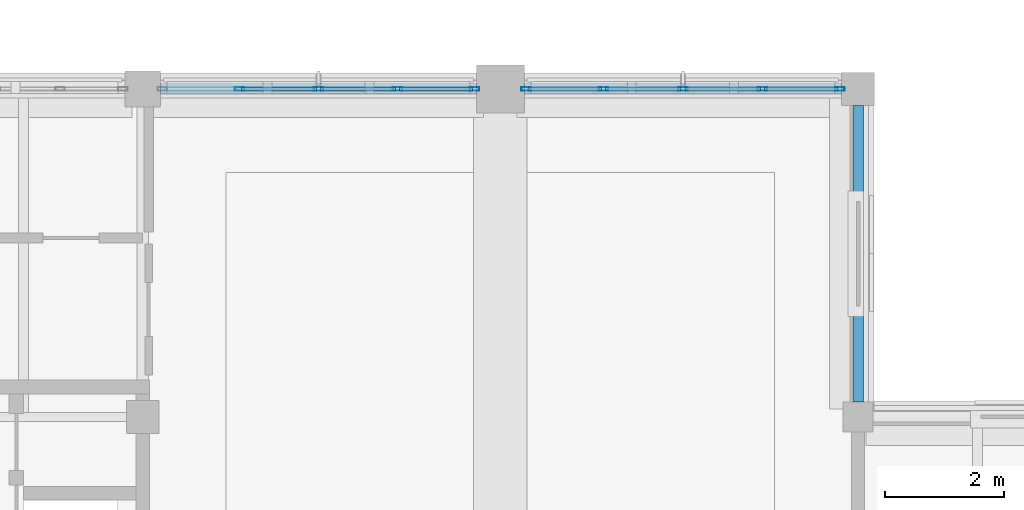
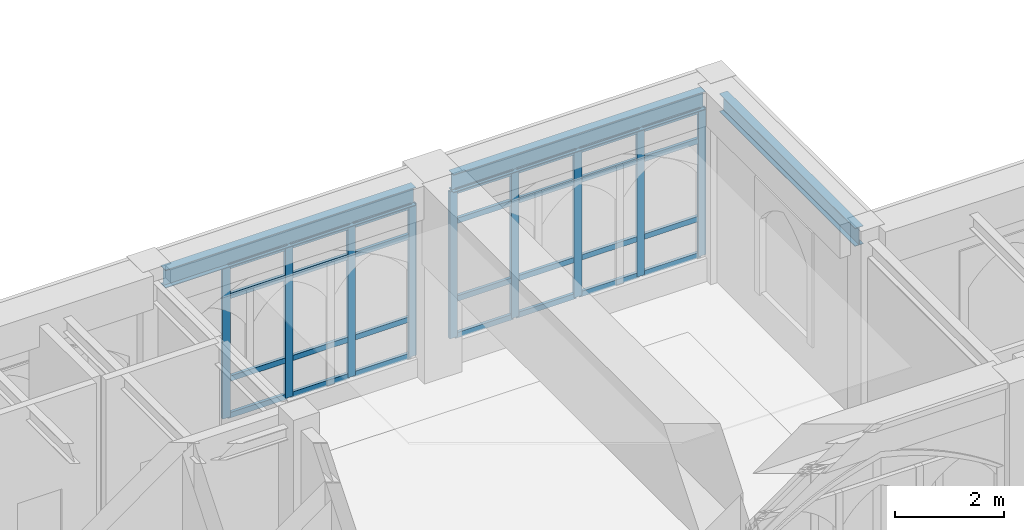
# One storey, part 16 of 127: 37 members, 3 beams, 2 elements without a shape of their own.
"""IFC4 building model written with IfcOpenShell, lengths in metres."""

from ifc_helpers import new_model, si_unit, direction, frame, origin, origin_2d, place, context, subcontext, project, spatial, hollow_rectangle, i_section, extrude, material, layer, layer_set, material_profile, profile_set, type_object, element, aggregate, save


model = new_model("IFC4")

# Units and contexts
model_context = context("Model", 3, precision=1e-05, world=origin(), true_north=direction((0.0, 1.0)))
body_context = subcontext(model_context, "Body", "Model", "MODEL_VIEW")
ifc_project = project(units=[si_unit("LENGTHUNIT", "METRE"), si_unit("AREAUNIT", "SQUARE_METRE"), si_unit("VOLUMEUNIT", "CUBIC_METRE"), si_unit("PLANEANGLEUNIT", "RADIAN"), si_unit("MASSUNIT", "GRAM", prefix="KILO")], contexts=[model_context])

# Site, building, storey
site_placement = place(None, origin())
site = spatial("IfcSite", under=ifc_project, at=site_placement, CompositionType="ELEMENT")
building_placement = place(site_placement, origin())
building = spatial("IfcBuilding", under=site, at=building_placement, Name="Cumevento Cable Car Station", CompositionType="ELEMENT")
storey_placement = place(building_placement, frame((0.0, 0.0, 4.5)))
storey = spatial("IfcBuildingStorey", under=building, at=storey_placement, Name="L02", CompositionType="ELEMENT", Elevation=4.5)

# Curtain wall, members
ifc_material_1 = material(Name="Anodised Bronze Aluminium AW-6063-T6", Category="aluminium")
ifc_layer_1 = layer(ifc_material_1, 0.18994140625)
ifc_layer_set_1 = layer_set([ifc_layer_1], Name="Anodised Bronze Aluminium AW-6063-T6")
curtain_wall_type_1 = type_object("IfcCurtainWallType", Name="Lancet Curtain Wall CW-06 1250", PredefinedType="NOTDEFINED", material=ifc_layer_set_1)
curtain_wall_1_placement = place(storey_placement, origin())
curtain_wall_1 = element("IfcCurtainWall", 1, at=curtain_wall_1_placement, inside=storey, type_object=curtain_wall_type_1, Name="Lancet Curtain Wall CW-06 L02 #21", PredefinedType="NOTDEFINED")
ifc_material_2 = material(Name="Anodised Bronze Aluminium AW-6063-T6", Category="aluminium")
ifc_material_profile_1 = material_profile(ifc_material_2, hollow_rectangle(XDim=0.06494140625, YDim=0.159912109375, WallThickness=0.00390625, at=origin_2d()), Name="ALUM65x160x4")
ifc_profile_set_1 = profile_set([ifc_material_profile_1], Name="Anodised Bronze Aluminium AW-6063-T6")
member_type_1 = type_object("IfcMemberType", Name="Curtain Mullion CWM-01 ALUM65x160x4", PredefinedType="MULLION", material=ifc_profile_set_1)
member_1_placement = place(storey_placement, frame((35.625, 15.0, 0.409912109375), z_axis=(0.0, 0.0, 1.0), x_axis=(0.0, 1.0, 0.0)))
member_1 = element("IfcMember", 2, at=member_1_placement, type_object=member_type_1, Name="CW-06 mullion 2", PredefinedType="MULLION", context=body_context, shape_type="SweptSolid", body=[
    extrude(hollow_rectangle(XDim=0.06494140625, YDim=0.159912109375, WallThickness=0.00390625, at=origin_2d()), origin(), (0.0, 0.0, 1.0), 3.399169921875),
])
member_2_placement = place(storey_placement, frame((36.949951171875, 15.0, 0.409912109375), z_axis=(0.0, 0.0, 1.0), x_axis=(0.0, 1.0, 0.0)))
member_2 = element("IfcMember", 3, at=member_2_placement, type_object=member_type_1, Name="CW-06 mullion 3", PredefinedType="MULLION", context=body_context, shape_type="SweptSolid", body=[
    extrude(hollow_rectangle(XDim=0.06494140625, YDim=0.159912109375, WallThickness=0.00390625, at=origin_2d()), origin(), (0.0, 0.0, 1.0), 3.399169921875),
])
member_3_placement = place(storey_placement, frame((38.27490234375, 15.0, 0.409912109375), z_axis=(0.0, 0.0, 1.0), x_axis=(0.0, 1.0, 0.0)))
member_3 = element("IfcMember", 4, at=member_3_placement, type_object=member_type_1, Name="CW-06 mullion 4", PredefinedType="MULLION", context=body_context, shape_type="SweptSolid", body=[
    extrude(hollow_rectangle(XDim=0.06494140625, YDim=0.159912109375, WallThickness=0.00390625, at=origin_2d()), origin(), (0.0, 0.0, 1.0), 3.399169921875),
])
member_4_placement = place(storey_placement, frame((39.5673828125, 15.0, 0.409912109375), z_axis=(0.0, 0.0, 1.0), x_axis=(0.0, 1.0, 0.0)))
member_4 = element("IfcMember", 5, at=member_4_placement, type_object=member_type_1, Name="CW-06 mullion 5", PredefinedType="MULLION", context=body_context, shape_type="SweptSolid", body=[
    extrude(hollow_rectangle(XDim=0.06494140625, YDim=0.159912109375, WallThickness=0.00390625, at=origin_2d()), origin(), (0.0, 0.0, 1.0), 3.399169921875),
])

ifc_material_3 = material(Name="Anodised Bronze Aluminium AW-6063-T6", Category="aluminium")
ifc_layer_2 = layer(ifc_material_3, 0.201904296875)
ifc_layer_set_2 = layer_set([ifc_layer_2], Name="Anodised Bronze Aluminium AW-6063-T6")
curtain_wall_type_2 = type_object("IfcCurtainWallType", Name="Lancet Curtain Wall CW-08 1330", PredefinedType="NOTDEFINED", material=ifc_layer_set_2)
curtain_wall_2_placement = place(storey_placement, origin())
curtain_wall_2 = element("IfcCurtainWall", 6, at=curtain_wall_2_placement, inside=storey, type_object=curtain_wall_type_2, Name="Lancet Curtain Wall CW-08 L02 #23", PredefinedType="NOTDEFINED")
member_5_placement = place(storey_placement, frame((40.4326171875, 15.0, 0.52001953125), z_axis=(0.0, 0.0, 1.0), x_axis=(0.0, 1.0, 0.0)))
member_5 = element("IfcMember", 7, at=member_5_placement, type_object=member_type_1, Name="CW-08 mullion 1", PredefinedType="MULLION", context=body_context, shape_type="SweptSolid", body=[
    extrude(hollow_rectangle(XDim=0.06494140625, YDim=0.159912109375, WallThickness=0.00390625, at=origin_2d()), origin(), (0.0, 0.0, 1.0), 3.2890625),
])
member_6_placement = place(storey_placement, frame((41.731201171875, 15.0, 0.52001953125), z_axis=(0.0, 0.0, 1.0), x_axis=(0.0, 1.0, 0.0)))
member_6 = element("IfcMember", 8, at=member_6_placement, type_object=member_type_1, Name="CW-08 mullion 2", PredefinedType="MULLION", context=body_context, shape_type="SweptSolid", body=[
    extrude(hollow_rectangle(XDim=0.06494140625, YDim=0.159912109375, WallThickness=0.00390625, at=origin_2d()), origin(), (0.0, 0.0, 1.0), 3.2890625),
])
member_7_placement = place(storey_placement, frame((43.0625, 15.0, 0.52001953125), z_axis=(0.0, 0.0, 1.0), x_axis=(0.0, 1.0, 0.0)))
member_7 = element("IfcMember", 9, at=member_7_placement, type_object=member_type_1, Name="CW-08 mullion 3", PredefinedType="MULLION", context=body_context, shape_type="SweptSolid", body=[
    extrude(hollow_rectangle(XDim=0.06494140625, YDim=0.159912109375, WallThickness=0.00390625, at=origin_2d()), origin(), (0.0, 0.0, 1.0), 3.2890625),
])
member_8_placement = place(storey_placement, frame((44.393798828125, 15.0, 0.52001953125), z_axis=(0.0, 0.0, 1.0), x_axis=(0.0, 1.0, 0.0)))
member_8 = element("IfcMember", 10, at=member_8_placement, type_object=member_type_1, Name="CW-08 mullion 4", PredefinedType="MULLION", context=body_context, shape_type="SweptSolid", body=[
    extrude(hollow_rectangle(XDim=0.06494140625, YDim=0.159912109375, WallThickness=0.00390625, at=origin_2d()), origin(), (0.0, 0.0, 1.0), 3.2890625),
])
member_9_placement = place(storey_placement, frame((45.6923828125, 15.0, 0.52001953125), z_axis=(0.0, 0.0, 1.0), x_axis=(0.0, 1.0, 0.0)))
member_9 = element("IfcMember", 11, at=member_9_placement, type_object=member_type_1, Name="CW-08 mullion 5", PredefinedType="MULLION", context=body_context, shape_type="SweptSolid", body=[
    extrude(hollow_rectangle(XDim=0.06494140625, YDim=0.159912109375, WallThickness=0.00390625, at=origin_2d()), origin(), (0.0, 0.0, 1.0), 3.2890625),
])

# Member
ifc_material_4 = material(Name="Anodised Bronze Aluminium AW-6063-T6", Category="aluminium")
ifc_material_profile_2 = material_profile(ifc_material_4, hollow_rectangle(XDim=0.06494140625, YDim=0.1201171875, WallThickness=0.00390625, at=origin_2d()), Name="ALUT65x120x4")
ifc_profile_set_2 = profile_set([ifc_material_profile_2], Name="Anodised Bronze Aluminium AW-6063-T6")
member_type_2 = type_object("IfcMemberType", Name="Curtain Transom CWT-01 ALUT65x120x4", PredefinedType="USERDEFINED", material=ifc_profile_set_2)
member_10_placement = place(storey_placement, frame((35.657470703125, 15.0, 0.4423828125), z_axis=(1.0, 0.0, 0.0), x_axis=(0.0, 1.0, 0.0)))
member_10 = element("IfcMember", 12, at=member_10_placement, type_object=member_type_2, Name="CW-06 transom 2.1", ObjectType="TRANSOM", PredefinedType="USERDEFINED", context=body_context, shape_type="SweptSolid", body=[
    extrude(hollow_rectangle(XDim=0.06494140625, YDim=0.1201171875, WallThickness=0.00390625, at=origin_2d()), origin(), (0.0, 0.0, 1.0), 1.260009765625),
])

member_11_placement = place(storey_placement, frame((35.657470703125, 15.0, 1.260009765625), z_axis=(1.0, 0.0, 0.0), x_axis=(0.0, 1.0, 0.0)))
member_11 = element("IfcMember", 13, at=member_11_placement, type_object=member_type_2, Name="CW-06 transom 2.2", ObjectType="TRANSOM", PredefinedType="USERDEFINED", context=body_context, shape_type="SweptSolid", body=[
    extrude(hollow_rectangle(XDim=0.06494140625, YDim=0.1201171875, WallThickness=0.00390625, at=origin_2d()), origin(), (0.0, 0.0, 1.0), 1.260009765625),
])

member_12_placement = place(storey_placement, frame((35.657470703125, 15.0, 3.10888671875), z_axis=(1.0, 0.0, 0.0), x_axis=(0.0, 1.0, 0.0)))
member_12 = element("IfcMember", 14, at=member_12_placement, type_object=member_type_2, Name="CW-06 transom 2.3", ObjectType="TRANSOM", PredefinedType="USERDEFINED", context=body_context, shape_type="SweptSolid", body=[
    extrude(hollow_rectangle(XDim=0.06494140625, YDim=0.1201171875, WallThickness=0.00390625, at=origin_2d()), origin(), (0.0, 0.0, 1.0), 1.260009765625),
])

member_13_placement = place(storey_placement, frame((35.657470703125, 15.0, 3.776611328125), z_axis=(1.0, 0.0, 0.0), x_axis=(0.0, 1.0, 0.0)))
member_13 = element("IfcMember", 15, at=member_13_placement, type_object=member_type_2, Name="CW-06 transom 2.4", ObjectType="TRANSOM", PredefinedType="USERDEFINED", context=body_context, shape_type="SweptSolid", body=[
    extrude(hollow_rectangle(XDim=0.06494140625, YDim=0.1201171875, WallThickness=0.00390625, at=origin_2d()), origin(), (0.0, 0.0, 1.0), 1.260009765625),
])

member_14_placement = place(storey_placement, frame((36.982421875, 15.0, 0.4423828125), z_axis=(1.0, 0.0, 0.0), x_axis=(0.0, 1.0, 0.0)))
member_14 = element("IfcMember", 16, at=member_14_placement, type_object=member_type_2, Name="CW-06 transom 3.1", ObjectType="TRANSOM", PredefinedType="USERDEFINED", context=body_context, shape_type="SweptSolid", body=[
    extrude(hollow_rectangle(XDim=0.06494140625, YDim=0.1201171875, WallThickness=0.00390625, at=origin_2d()), origin(), (0.0, 0.0, 1.0), 1.260009765625),
])

member_15_placement = place(storey_placement, frame((36.982421875, 15.0, 1.260009765625), z_axis=(1.0, 0.0, 0.0), x_axis=(0.0, 1.0, 0.0)))
member_15 = element("IfcMember", 17, at=member_15_placement, type_object=member_type_2, Name="CW-06 transom 3.2", ObjectType="TRANSOM", PredefinedType="USERDEFINED", context=body_context, shape_type="SweptSolid", body=[
    extrude(hollow_rectangle(XDim=0.06494140625, YDim=0.1201171875, WallThickness=0.00390625, at=origin_2d()), origin(), (0.0, 0.0, 1.0), 1.260009765625),
])

member_16_placement = place(storey_placement, frame((36.982421875, 15.0, 3.10888671875), z_axis=(1.0, 0.0, 0.0), x_axis=(0.0, 1.0, 0.0)))
member_16 = element("IfcMember", 18, at=member_16_placement, type_object=member_type_2, Name="CW-06 transom 3.3", ObjectType="TRANSOM", PredefinedType="USERDEFINED", context=body_context, shape_type="SweptSolid", body=[
    extrude(hollow_rectangle(XDim=0.06494140625, YDim=0.1201171875, WallThickness=0.00390625, at=origin_2d()), origin(), (0.0, 0.0, 1.0), 1.260009765625),
])

member_17_placement = place(storey_placement, frame((36.982421875, 15.0, 3.776611328125), z_axis=(1.0, 0.0, 0.0), x_axis=(0.0, 1.0, 0.0)))
member_17 = element("IfcMember", 19, at=member_17_placement, type_object=member_type_2, Name="CW-06 transom 3.4", ObjectType="TRANSOM", PredefinedType="USERDEFINED", context=body_context, shape_type="SweptSolid", body=[
    extrude(hollow_rectangle(XDim=0.06494140625, YDim=0.1201171875, WallThickness=0.00390625, at=origin_2d()), origin(), (0.0, 0.0, 1.0), 1.260009765625),
])

member_18_placement = place(storey_placement, frame((38.3076171875, 15.0, 0.4423828125), z_axis=(1.0, 0.0, 0.0), x_axis=(0.0, 1.0, 0.0)))
member_18 = element("IfcMember", 20, at=member_18_placement, type_object=member_type_2, Name="CW-06 transom 4.1", ObjectType="TRANSOM", PredefinedType="USERDEFINED", context=body_context, shape_type="SweptSolid", body=[
    extrude(hollow_rectangle(XDim=0.06494140625, YDim=0.1201171875, WallThickness=0.00390625, at=origin_2d()), origin(), (0.0, 0.0, 1.0), 1.227294921875),
])

member_19_placement = place(storey_placement, frame((38.3076171875, 15.0, 1.260009765625), z_axis=(1.0, 0.0, 0.0), x_axis=(0.0, 1.0, 0.0)))
member_19 = element("IfcMember", 21, at=member_19_placement, type_object=member_type_2, Name="CW-06 transom 4.2", ObjectType="TRANSOM", PredefinedType="USERDEFINED", context=body_context, shape_type="SweptSolid", body=[
    extrude(hollow_rectangle(XDim=0.06494140625, YDim=0.1201171875, WallThickness=0.00390625, at=origin_2d()), origin(), (0.0, 0.0, 1.0), 1.227294921875),
])

member_20_placement = place(storey_placement, frame((38.3076171875, 15.0, 3.10888671875), z_axis=(1.0, 0.0, 0.0), x_axis=(0.0, 1.0, 0.0)))
member_20 = element("IfcMember", 22, at=member_20_placement, type_object=member_type_2, Name="CW-06 transom 4.3", ObjectType="TRANSOM", PredefinedType="USERDEFINED", context=body_context, shape_type="SweptSolid", body=[
    extrude(hollow_rectangle(XDim=0.06494140625, YDim=0.1201171875, WallThickness=0.00390625, at=origin_2d()), origin(), (0.0, 0.0, 1.0), 1.227294921875),
])

member_21_placement = place(storey_placement, frame((38.3076171875, 15.0, 3.776611328125), z_axis=(1.0, 0.0, 0.0), x_axis=(0.0, 1.0, 0.0)))
member_21 = element("IfcMember", 23, at=member_21_placement, type_object=member_type_2, Name="CW-06 transom 4.4", ObjectType="TRANSOM", PredefinedType="USERDEFINED", context=body_context, shape_type="SweptSolid", body=[
    extrude(hollow_rectangle(XDim=0.06494140625, YDim=0.1201171875, WallThickness=0.00390625, at=origin_2d()), origin(), (0.0, 0.0, 1.0), 1.227294921875),
])

aggregate(curtain_wall_1, [member_1, member_2, member_3, member_4, member_10, member_11, member_12, member_13, member_14, member_15, member_16, member_17, member_18, member_19, member_20, member_21])

member_22_placement = place(storey_placement, frame((40.465087890625, 15.0, 0.552490234375), z_axis=(1.0, 0.0, 0.0), x_axis=(0.0, 1.0, 0.0)))
member_22 = element("IfcMember", 24, at=member_22_placement, type_object=member_type_2, Name="CW-08 transom 1.1", ObjectType="TRANSOM", PredefinedType="USERDEFINED", context=body_context, shape_type="SweptSolid", body=[
    extrude(hollow_rectangle(XDim=0.06494140625, YDim=0.1201171875, WallThickness=0.00390625, at=origin_2d()), origin(), (0.0, 0.0, 1.0), 1.233642578125),
])

member_23_placement = place(storey_placement, frame((40.465087890625, 15.0, 1.3701171875), z_axis=(1.0, 0.0, 0.0), x_axis=(0.0, 1.0, 0.0)))
member_23 = element("IfcMember", 25, at=member_23_placement, type_object=member_type_2, Name="CW-08 transom 1.2", ObjectType="TRANSOM", PredefinedType="USERDEFINED", context=body_context, shape_type="SweptSolid", body=[
    extrude(hollow_rectangle(XDim=0.06494140625, YDim=0.1201171875, WallThickness=0.00390625, at=origin_2d()), origin(), (0.0, 0.0, 1.0), 1.233642578125),
])

member_24_placement = place(storey_placement, frame((40.465087890625, 15.0, 3.10888671875), z_axis=(1.0, 0.0, 0.0), x_axis=(0.0, 1.0, 0.0)))
member_24 = element("IfcMember", 26, at=member_24_placement, type_object=member_type_2, Name="CW-08 transom 1.3", ObjectType="TRANSOM", PredefinedType="USERDEFINED", context=body_context, shape_type="SweptSolid", body=[
    extrude(hollow_rectangle(XDim=0.06494140625, YDim=0.1201171875, WallThickness=0.00390625, at=origin_2d()), origin(), (0.0, 0.0, 1.0), 1.233642578125),
])

member_25_placement = place(storey_placement, frame((40.465087890625, 15.0, 3.776611328125), z_axis=(1.0, 0.0, 0.0), x_axis=(0.0, 1.0, 0.0)))
member_25 = element("IfcMember", 27, at=member_25_placement, type_object=member_type_2, Name="CW-08 transom 1.4", ObjectType="TRANSOM", PredefinedType="USERDEFINED", context=body_context, shape_type="SweptSolid", body=[
    extrude(hollow_rectangle(XDim=0.06494140625, YDim=0.1201171875, WallThickness=0.00390625, at=origin_2d()), origin(), (0.0, 0.0, 1.0), 1.233642578125),
])

member_26_placement = place(storey_placement, frame((41.763671875, 15.0, 0.552490234375), z_axis=(1.0, 0.0, 0.0), x_axis=(0.0, 1.0, 0.0)))
member_26 = element("IfcMember", 28, at=member_26_placement, type_object=member_type_2, Name="CW-08 transom 2.1", ObjectType="TRANSOM", PredefinedType="USERDEFINED", context=body_context, shape_type="SweptSolid", body=[
    extrude(hollow_rectangle(XDim=0.06494140625, YDim=0.1201171875, WallThickness=0.00390625, at=origin_2d()), origin(), (0.0, 0.0, 1.0), 1.266357421875),
])

member_27_placement = place(storey_placement, frame((41.763671875, 15.0, 1.3701171875), z_axis=(1.0, 0.0, 0.0), x_axis=(0.0, 1.0, 0.0)))
member_27 = element("IfcMember", 29, at=member_27_placement, type_object=member_type_2, Name="CW-08 transom 2.2", ObjectType="TRANSOM", PredefinedType="USERDEFINED", context=body_context, shape_type="SweptSolid", body=[
    extrude(hollow_rectangle(XDim=0.06494140625, YDim=0.1201171875, WallThickness=0.00390625, at=origin_2d()), origin(), (0.0, 0.0, 1.0), 1.266357421875),
])

member_28_placement = place(storey_placement, frame((41.763671875, 15.0, 3.10888671875), z_axis=(1.0, 0.0, 0.0), x_axis=(0.0, 1.0, 0.0)))
member_28 = element("IfcMember", 30, at=member_28_placement, type_object=member_type_2, Name="CW-08 transom 2.3", ObjectType="TRANSOM", PredefinedType="USERDEFINED", context=body_context, shape_type="SweptSolid", body=[
    extrude(hollow_rectangle(XDim=0.06494140625, YDim=0.1201171875, WallThickness=0.00390625, at=origin_2d()), origin(), (0.0, 0.0, 1.0), 1.266357421875),
])

member_29_placement = place(storey_placement, frame((41.763671875, 15.0, 3.776611328125), z_axis=(1.0, 0.0, 0.0), x_axis=(0.0, 1.0, 0.0)))
member_29 = element("IfcMember", 31, at=member_29_placement, type_object=member_type_2, Name="CW-08 transom 2.4", ObjectType="TRANSOM", PredefinedType="USERDEFINED", context=body_context, shape_type="SweptSolid", body=[
    extrude(hollow_rectangle(XDim=0.06494140625, YDim=0.1201171875, WallThickness=0.00390625, at=origin_2d()), origin(), (0.0, 0.0, 1.0), 1.266357421875),
])

member_30_placement = place(storey_placement, frame((43.094970703125, 15.0, 0.552490234375), z_axis=(1.0, 0.0, 0.0), x_axis=(0.0, 1.0, 0.0)))
member_30 = element("IfcMember", 32, at=member_30_placement, type_object=member_type_2, Name="CW-08 transom 3.1", ObjectType="TRANSOM", PredefinedType="USERDEFINED", context=body_context, shape_type="SweptSolid", body=[
    extrude(hollow_rectangle(XDim=0.06494140625, YDim=0.1201171875, WallThickness=0.00390625, at=origin_2d()), origin(), (0.0, 0.0, 1.0), 1.266357421875),
])

member_31_placement = place(storey_placement, frame((43.094970703125, 15.0, 1.3701171875), z_axis=(1.0, 0.0, 0.0), x_axis=(0.0, 1.0, 0.0)))
member_31 = element("IfcMember", 33, at=member_31_placement, type_object=member_type_2, Name="CW-08 transom 3.2", ObjectType="TRANSOM", PredefinedType="USERDEFINED", context=body_context, shape_type="SweptSolid", body=[
    extrude(hollow_rectangle(XDim=0.06494140625, YDim=0.1201171875, WallThickness=0.00390625, at=origin_2d()), origin(), (0.0, 0.0, 1.0), 1.266357421875),
])

member_32_placement = place(storey_placement, frame((43.094970703125, 15.0, 3.10888671875), z_axis=(1.0, 0.0, 0.0), x_axis=(0.0, 1.0, 0.0)))
member_32 = element("IfcMember", 34, at=member_32_placement, type_object=member_type_2, Name="CW-08 transom 3.3", ObjectType="TRANSOM", PredefinedType="USERDEFINED", context=body_context, shape_type="SweptSolid", body=[
    extrude(hollow_rectangle(XDim=0.06494140625, YDim=0.1201171875, WallThickness=0.00390625, at=origin_2d()), origin(), (0.0, 0.0, 1.0), 1.266357421875),
])

member_33_placement = place(storey_placement, frame((43.094970703125, 15.0, 3.776611328125), z_axis=(1.0, 0.0, 0.0), x_axis=(0.0, 1.0, 0.0)))
member_33 = element("IfcMember", 35, at=member_33_placement, type_object=member_type_2, Name="CW-08 transom 3.4", ObjectType="TRANSOM", PredefinedType="USERDEFINED", context=body_context, shape_type="SweptSolid", body=[
    extrude(hollow_rectangle(XDim=0.06494140625, YDim=0.1201171875, WallThickness=0.00390625, at=origin_2d()), origin(), (0.0, 0.0, 1.0), 1.266357421875),
])

member_34_placement = place(storey_placement, frame((44.42626953125, 15.0, 0.552490234375), z_axis=(1.0, 0.0, 0.0), x_axis=(0.0, 1.0, 0.0)))
member_34 = element("IfcMember", 36, at=member_34_placement, type_object=member_type_2, Name="CW-08 transom 4.1", ObjectType="TRANSOM", PredefinedType="USERDEFINED", context=body_context, shape_type="SweptSolid", body=[
    extrude(hollow_rectangle(XDim=0.06494140625, YDim=0.1201171875, WallThickness=0.00390625, at=origin_2d()), origin(), (0.0, 0.0, 1.0), 1.233642578125),
])

member_35_placement = place(storey_placement, frame((44.42626953125, 15.0, 1.3701171875), z_axis=(1.0, 0.0, 0.0), x_axis=(0.0, 1.0, 0.0)))
member_35 = element("IfcMember", 37, at=member_35_placement, type_object=member_type_2, Name="CW-08 transom 4.2", ObjectType="TRANSOM", PredefinedType="USERDEFINED", context=body_context, shape_type="SweptSolid", body=[
    extrude(hollow_rectangle(XDim=0.06494140625, YDim=0.1201171875, WallThickness=0.00390625, at=origin_2d()), origin(), (0.0, 0.0, 1.0), 1.233642578125),
])

member_36_placement = place(storey_placement, frame((44.42626953125, 15.0, 3.10888671875), z_axis=(1.0, 0.0, 0.0), x_axis=(0.0, 1.0, 0.0)))
member_36 = element("IfcMember", 38, at=member_36_placement, type_object=member_type_2, Name="CW-08 transom 4.3", ObjectType="TRANSOM", PredefinedType="USERDEFINED", context=body_context, shape_type="SweptSolid", body=[
    extrude(hollow_rectangle(XDim=0.06494140625, YDim=0.1201171875, WallThickness=0.00390625, at=origin_2d()), origin(), (0.0, 0.0, 1.0), 1.233642578125),
])

member_37_placement = place(storey_placement, frame((44.42626953125, 15.0, 3.776611328125), z_axis=(1.0, 0.0, 0.0), x_axis=(0.0, 1.0, 0.0)))
member_37 = element("IfcMember", 39, at=member_37_placement, type_object=member_type_2, Name="CW-08 transom 4.4", ObjectType="TRANSOM", PredefinedType="USERDEFINED", context=body_context, shape_type="SweptSolid", body=[
    extrude(hollow_rectangle(XDim=0.06494140625, YDim=0.1201171875, WallThickness=0.00390625, at=origin_2d()), origin(), (0.0, 0.0, 1.0), 1.233642578125),
])

aggregate(curtain_wall_2, [member_5, member_6, member_7, member_8, member_9, member_22, member_23, member_24, member_25, member_26, member_27, member_28, member_29, member_30, member_31, member_32, member_33, member_34, member_35, member_36, member_37])

# Beams
ifc_material_5 = material(Name="Steel ASTM A572 Grade 50", Category="steel")
ifc_material_profile_3 = material_profile(ifc_material_5, i_section(OverallWidth=0.177978515625, OverallDepth=0.406982421875, WebThickness=0.0078125, FlangeThickness=0.0126953125, at=origin_2d()), Name="W410x60.0")
ifc_profile_set_3 = profile_set([ifc_material_profile_3], Name="Steel ASTM A572 Grade 50")
beam_type = type_object("IfcBeamType", Name="Structural Spandrel SP-01 W410x60.0", PredefinedType="SPANDREL", material=ifc_profile_set_3)
beam_1_placement = place(storey_placement, frame((34.300048828125, 15.0, 4.012451171875), z_axis=(1.0, 0.0, 0.0), x_axis=(0.0, 1.0, 0.0)))
element("IfcBeam", 40, at=beam_1_placement, inside=storey, type_object=beam_type, Name="Beam SP-01 L02 #439", PredefinedType="SPANDREL", context=body_context, shape_type="SweptSolid", body=[
    extrude(i_section(OverallWidth=0.177978515625, OverallDepth=0.406982421875, WebThickness=0.0078125, FlangeThickness=0.0126953125, at=origin_2d()), origin(), (0.0, 0.0, 1.0), 5.300048828125),
])
beam_2_placement = place(storey_placement, frame((40.39990234375, 15.0, 4.012451171875), z_axis=(1.0, 0.0, 0.0), x_axis=(0.0, 1.0, 0.0)))
element("IfcBeam", 41, at=beam_2_placement, inside=storey, type_object=beam_type, Name="Beam SP-01 L02 #440", PredefinedType="SPANDREL", context=body_context, shape_type="SweptSolid", body=[
    extrude(i_section(OverallWidth=0.177978515625, OverallDepth=0.406982421875, WebThickness=0.0078125, FlangeThickness=0.0126953125, at=origin_2d()), origin(), (0.0, 0.0, 1.0), 5.3251953125),
])
beam_3_placement = place(storey_placement, frame((46.0, 9.75, 4.012451171875), z_axis=(0.0, 1.0, 0.0), x_axis=(-1.0, 0.0, 0.0)))
element("IfcBeam", 42, at=beam_3_placement, inside=storey, type_object=beam_type, Name="Beam SP-01 L02 #448", PredefinedType="SPANDREL", context=body_context, shape_type="SweptSolid", body=[
    extrude(i_section(OverallWidth=0.177978515625, OverallDepth=0.406982421875, WebThickness=0.0078125, FlangeThickness=0.0126953125, at=origin_2d()), origin(), (0.0, 0.0, 1.0), 4.97509765625),
])

save(model, "model.ifc")
